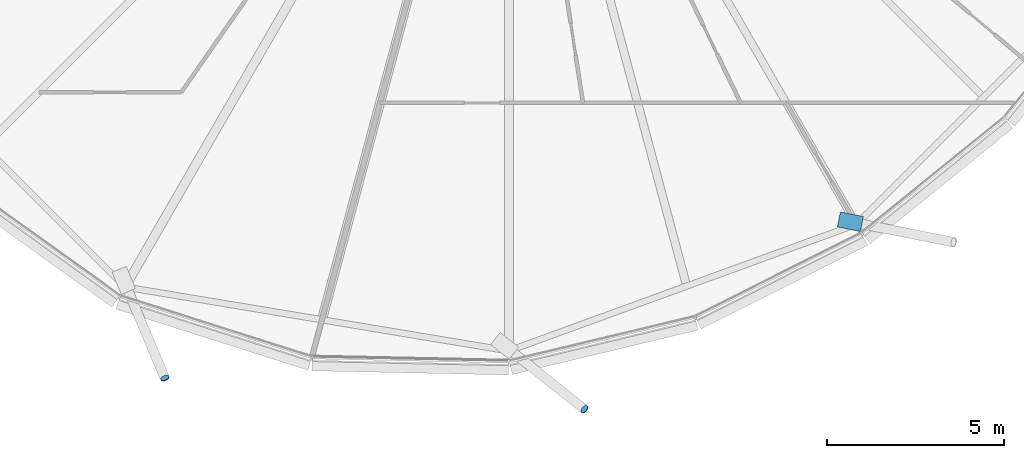
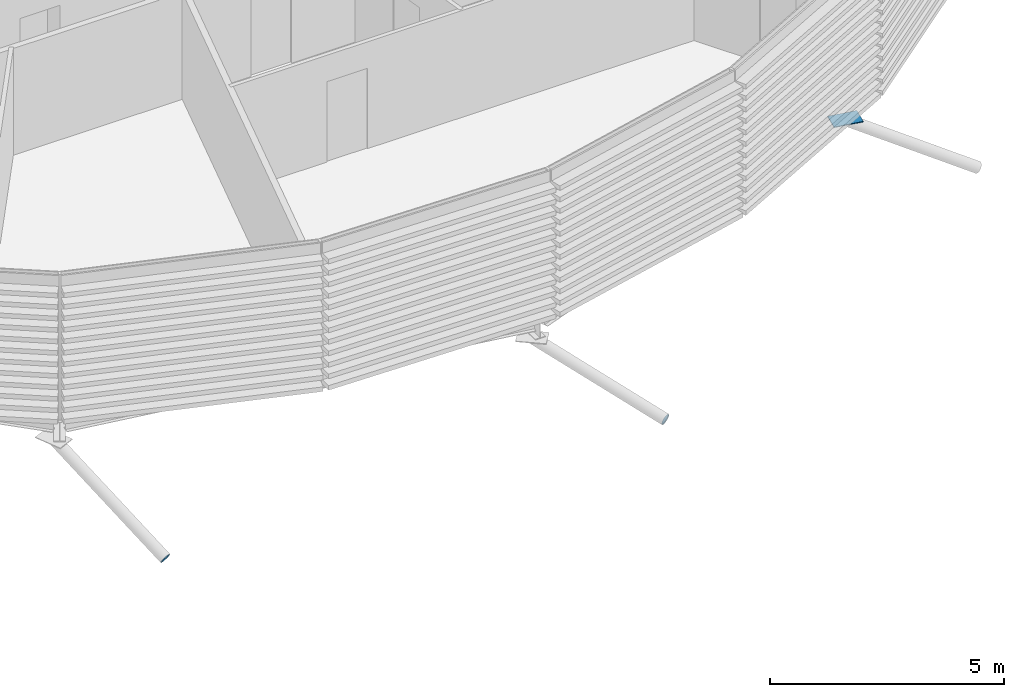
# One storey, part 28 of 37: 3 discrete accessories.
"""IFC4 building model written with IfcOpenShell, lengths in metres."""

from ifc_helpers import new_model, si_unit, direction, frame, origin, origin_2d, place, context, subcontext, project, spatial, polyline, rectangle, circle, outline, extrude, material, material_profile, profile_set, type_object, element, save


model = new_model("IFC4")

# Units and contexts
model_context = context("Model", 3, precision=1e-05, world=origin(), true_north=direction((0.0, 1.0)))
body_context = subcontext(model_context, "Body", "Model", "MODEL_VIEW")
ifc_project = project(units=[si_unit("LENGTHUNIT", "METRE"), si_unit("AREAUNIT", "SQUARE_METRE"), si_unit("VOLUMEUNIT", "CUBIC_METRE"), si_unit("PLANEANGLEUNIT", "RADIAN"), si_unit("MASSUNIT", "GRAM", prefix="KILO")], contexts=[model_context])

# Site, building, storey
site_placement = place(None, origin())
site = spatial("IfcSite", under=ifc_project, at=site_placement, CompositionType="ELEMENT")
building_placement = place(site_placement, origin())
building = spatial("IfcBuilding", under=site, at=building_placement, Name="Rimbun Link Towers", CompositionType="ELEMENT")
storey_placement = place(building_placement, frame((0.0, 0.0, 177.89990234375)))
storey = spatial("IfcBuildingStorey", under=building, at=storey_placement, Name="L43", CompositionType="ELEMENT", Elevation=177.89990234375)

# Discrete accessories
ifc_material_1 = material(Name="Steel S355J2H", Category="steel")
ifc_material_profile_1 = material_profile(ifc_material_1, circle(Radius=0.1240234375, at=origin_2d()), Name="PL D248")
ifc_profile_set_1 = profile_set([ifc_material_profile_1], Name="Steel S355J2H")
discrete_accessory_type_1 = type_object("IfcDiscreteAccessoryType", Name="Link foot sealing plate D248X20", PredefinedType="BRACKET", material=ifc_profile_set_1)
for number, where, z_axis, x_axis, name in (
    (1, (22.0322265625, -21.337646484375, -2.69970703125), (0.327350892006, -0.788066962237, -0.521336605787), (0.923496716237, 0.383606328283, 0.0), "Link foot sealing plate T2 L43 13"),
    (2, (33.87890625, -22.220458984375, -2.689453125), (0.659665772572, -0.525289411492, -0.537505444318), (0.62292678177, 0.782280144548, 0.0), "Link foot sealing plate T2 L43 15"),
):
    element("IfcDiscreteAccessory", number, at=place(storey_placement, frame(where, z_axis=z_axis, x_axis=x_axis)), inside=storey, type_object=discrete_accessory_type_1, Name=name, PredefinedType="BRACKET", context=body_context, shape_type="SweptSolid", body=[
        extrude(circle(Radius=0.1240234375, at=origin_2d()), origin(), (0.0, 0.0, 1.0), 0.02001953125),
    ])
ifc_material_2 = material(Name="Steel S355J2H", Category="steel")
ifc_material_profile_2 = material_profile(ifc_material_2, rectangle(XDim=0.43310546875, YDim=0.43310546875, at=origin_2d()), Name="PL 433x433")
ifc_profile_set_2 = profile_set([ifc_material_profile_2], Name="Steel S355J2H")
discrete_accessory_type_2 = type_object("IfcDiscreteAccessoryType", Name="Link head end plate 433X20", PredefinedType="BRACKET", material=ifc_profile_set_2)
discrete_accessory_placement = place(storey_placement, frame((0.0, 0.0, -0.702880859375)))
element("IfcDiscreteAccessory", 3, at=discrete_accessory_placement, inside=storey, type_object=discrete_accessory_type_2, Name="Link head end plate T2 L43 17", PredefinedType="BRACKET", context=body_context, shape_type="SweptSolid", body=[
    extrude(outline(polyline([(41.028076171875, -17.07666015625), (41.6796875, -17.2060546875), (41.763916015625, -16.781494140625), (41.1123046875, -16.652099609375), (41.028076171875, -17.07666015625)])), origin(), (0.0, 0.0, 1.0), 0.019775390625),
])

save(model, "model.ifc")
